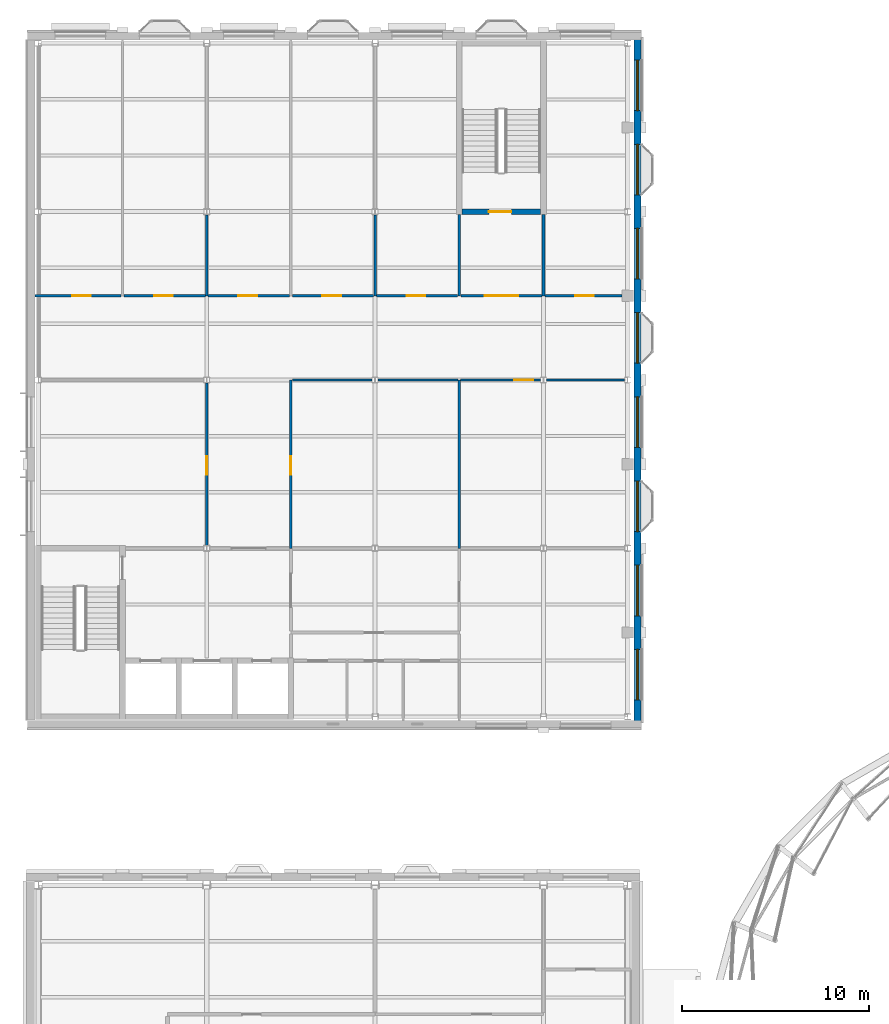
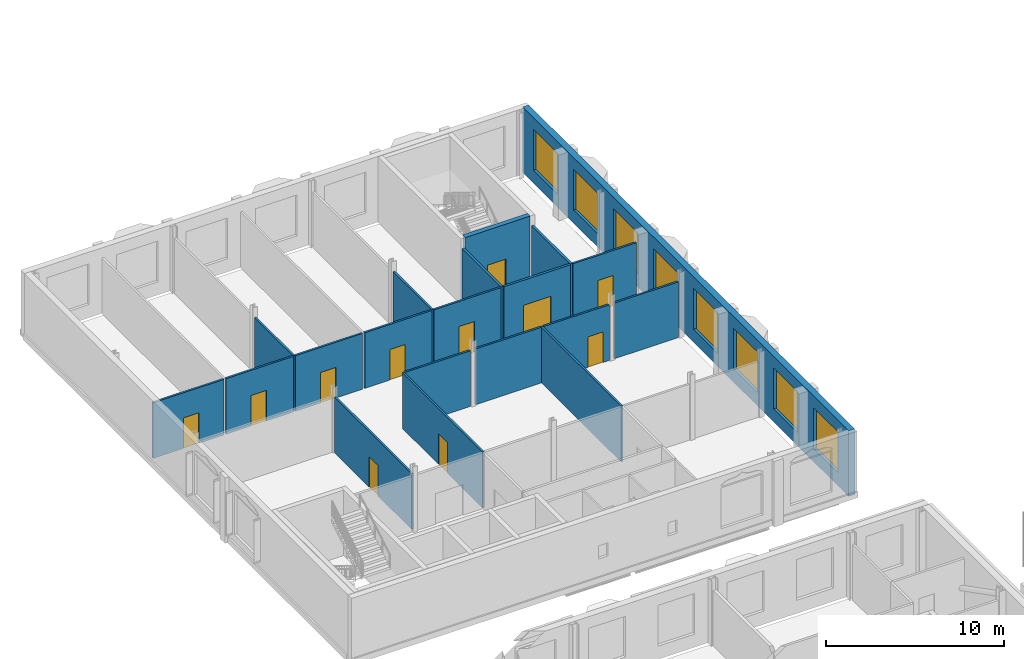
# One storey, part 26 of 59: 20 walls, 11 doors, 8 windows, 19 openings.
"""IFC4 building model written with IfcOpenShell, lengths in metres."""

from ifc_helpers import new_model, si_unit, direction, frame, frame_2d, origin, place, context, subcontext, project, spatial, rectangle, extrude, material, layer, layer_set, type_object, element, fill, save


model = new_model("IFC4")

# Units and contexts
model_context = context("Model", 3, precision=1e-05, world=origin(), true_north=direction((0.0, 1.0)))
body_context = subcontext(model_context, "Body", "Model", "MODEL_VIEW")
ifc_project = project(units=[si_unit("LENGTHUNIT", "METRE"), si_unit("AREAUNIT", "SQUARE_METRE"), si_unit("VOLUMEUNIT", "CUBIC_METRE"), si_unit("PLANEANGLEUNIT", "RADIAN"), si_unit("MASSUNIT", "GRAM", prefix="KILO")], contexts=[model_context])

# Site, building, storey
site_placement = place(None, origin())
site = spatial("IfcSite", under=ifc_project, at=site_placement, CompositionType="ELEMENT")
building_placement = place(site_placement, origin())
building = spatial("IfcBuilding", under=site, at=building_placement, Name="Hortulan Conservatory and Botanical Research Centre", CompositionType="ELEMENT")
storey_placement = place(building_placement, frame((0.0, 0.0, 10.5)))
storey = spatial("IfcBuildingStorey", under=building, at=storey_placement, Name="L02", CompositionType="ELEMENT", Elevation=10.5)

# Wall, opening, door
ifc_material_1 = material(Name="Concrete N40 (40 MPa, AS 3600)", Category="concrete")
ifc_layer_1 = layer(ifc_material_1, 0.300048828125)
ifc_layer_set_1 = layer_set([ifc_layer_1], Name="Core Wall 300 N40 FRL 180/120/120")
wall_type_1 = type_object("IfcWallType", Name="Core Wall 300 N40 FRL 180/120/120", PredefinedType="SHEAR", material=ifc_layer_set_1)
wall_1_placement = place(storey_placement, frame((22.64990234375, 63.0, 0.0), z_axis=(0.0, 0.0, 1.0), x_axis=(1.0, 0.0, 0.0)))
wall_1 = element("IfcWall", 1, at=wall_1_placement, inside=storey, type_object=wall_type_1, Name="Reinforced concrete shaft wall", PredefinedType="SHEAR", context=body_context, shape_type="SweptSolid", body=[
    extrude(rectangle(XDim=4.2001953125, YDim=0.300048828125, at=frame_2d((2.10009765625, 0.0))), origin(), (0.0, 0.0, 1.0), 4.5),
])
opening_1_placement = place(wall_1_placement, frame((1.436767578125, 0.0, 0.0)))
opening_1 = element("IfcOpeningElement", 2, at=opening_1_placement, cuts=wall_1, Name="Opening DT5", PredefinedType="OPENING", context=body_context, shape_type="SweptSolid", body=[
    extrude(rectangle(XDim=1.199951171875, YDim=2.10009765625, at=frame_2d((0.60009765625, 1.050048828125))), frame((0.0, 0.159912109375, 0.0), z_axis=(0.0, -1.0, 0.0), x_axis=(1.0, 0.0, 0.0)), (0.0, 0.0, 1.0), 0.320068359375),
])
ifc_material_2 = material(Name="Steel door leaf, insulated", Category="steel")
door_type_1 = type_object("IfcDoorType", Name="Stair Door 1200x2100 FRL -/120/30", OperationType="NOTDEFINED", PredefinedType="DOOR", material=ifc_material_2)
door_1_placement = place(opening_1_placement, origin())
door_1 = element("IfcDoor", 3, at=door_1_placement, inside=storey, type_object=door_type_1, Name="Door DT5 Exit Stair V2 to Stair Lobby V2", OperationType="SINGLE_SWING_LEFT", OverallHeight=2.10009765625, OverallWidth=1.199951171875, PredefinedType="DOOR", context=body_context, shape_type="SweptSolid", body=[
    extrude(rectangle(XDim=1.199951171875, YDim=2.10009765625, at=frame_2d((0.60009765625, 1.050048828125))), frame((0.0, 0.02490234375, 0.0), z_axis=(0.0, -1.0, 0.0), x_axis=(1.0, 0.0, 0.0)), (0.0, 0.0, 1.0), 0.050048828125),
])
fill(opening_1, door_1)

# Wall, openings, windows
ifc_material_3 = material(Name="Faience-faced brickwork masonry", Category="masonry")
ifc_layer_2 = layer(ifc_material_3, 0.39990234375)
ifc_layer_set_2 = layer_set([ifc_layer_2], Name="Faience-faced Masonry Cavity Wall 400")
wall_type_2 = type_object("IfcWallType", Name="Faience-faced Masonry Cavity Wall 400", PredefinedType="STANDARD", material=ifc_layer_set_2)
wall_2_placement = place(storey_placement, frame((32.02490234375, 72.324951171875, 0.0), z_axis=(0.0, 0.0, 1.0), x_axis=(0.0, -1.0, 0.0)))
wall_2 = element("IfcWall", 4, at=wall_2_placement, inside=storey, type_object=wall_type_2, Name="E-EW-VC-L02-E4", PredefinedType="STANDARD", context=body_context, shape_type="SweptSolid", body=[
    extrude(rectangle(XDim=36.64990234375, YDim=0.39990234375, at=frame_2d((18.324951171875, 0.0))), origin(), (0.0, 0.0, 1.0), 4.5),
])
opening_2_placement = place(wall_2_placement, frame((32.72509765625, 0.0, 0.89990234375)))
opening_2 = element("IfcOpeningElement", 5, at=opening_2_placement, cuts=wall_2, Name="Opening W9", PredefinedType="OPENING", context=body_context, shape_type="SweptSolid", body=[
    extrude(rectangle(XDim=2.699951171875, YDim=2.800048828125, at=frame_2d((1.35009765625, 1.39990234375))), frame((0.0, 0.2099609375, 0.0), z_axis=(0.0, -1.0, 0.0), x_axis=(1.0, 0.0, 0.0)), (0.0, 0.0, 1.0), 0.419921875),
])
opening_3_placement = place(wall_2_placement, frame((28.22509765625, 0.0, 0.89990234375)))
opening_3 = element("IfcOpeningElement", 6, at=opening_3_placement, cuts=wall_2, Name="Opening W9", PredefinedType="OPENING", context=body_context, shape_type="SweptSolid", body=[
    extrude(rectangle(XDim=2.699951171875, YDim=2.800048828125, at=frame_2d((1.35009765625, 1.39990234375))), frame((0.0, 0.2099609375, 0.0), z_axis=(0.0, -1.0, 0.0), x_axis=(1.0, 0.0, 0.0)), (0.0, 0.0, 1.0), 0.419921875),
])
opening_4_placement = place(wall_2_placement, frame((23.72509765625, 0.0, 0.89990234375)))
opening_4 = element("IfcOpeningElement", 7, at=opening_4_placement, cuts=wall_2, Name="Opening W9", PredefinedType="OPENING", context=body_context, shape_type="SweptSolid", body=[
    extrude(rectangle(XDim=2.699951171875, YDim=2.800048828125, at=frame_2d((1.35009765625, 1.39990234375))), frame((0.0, 0.2099609375, 0.0), z_axis=(0.0, -1.0, 0.0), x_axis=(1.0, 0.0, 0.0)), (0.0, 0.0, 1.0), 0.419921875),
])
opening_5_placement = place(wall_2_placement, frame((19.22509765625, 0.0, 0.89990234375)))
opening_5 = element("IfcOpeningElement", 8, at=opening_5_placement, cuts=wall_2, Name="Opening W9", PredefinedType="OPENING", context=body_context, shape_type="SweptSolid", body=[
    extrude(rectangle(XDim=2.699951171875, YDim=2.800048828125, at=frame_2d((1.35009765625, 1.39990234375))), frame((0.0, 0.2099609375, 0.0), z_axis=(0.0, -1.0, 0.0), x_axis=(1.0, 0.0, 0.0)), (0.0, 0.0, 1.0), 0.419921875),
])
opening_6_placement = place(wall_2_placement, frame((14.72509765625, 0.0, 0.89990234375)))
opening_6 = element("IfcOpeningElement", 9, at=opening_6_placement, cuts=wall_2, Name="Opening W9", PredefinedType="OPENING", context=body_context, shape_type="SweptSolid", body=[
    extrude(rectangle(XDim=2.699951171875, YDim=2.800048828125, at=frame_2d((1.35009765625, 1.39990234375))), frame((0.0, 0.2099609375, 0.0), z_axis=(0.0, -1.0, 0.0), x_axis=(1.0, 0.0, 0.0)), (0.0, 0.0, 1.0), 0.419921875),
])
opening_7_placement = place(wall_2_placement, frame((10.22509765625, 0.0, 0.89990234375)))
opening_7 = element("IfcOpeningElement", 10, at=opening_7_placement, cuts=wall_2, Name="Opening W9", PredefinedType="OPENING", context=body_context, shape_type="SweptSolid", body=[
    extrude(rectangle(XDim=2.699951171875, YDim=2.800048828125, at=frame_2d((1.35009765625, 1.39990234375))), frame((0.0, 0.2099609375, 0.0), z_axis=(0.0, -1.0, 0.0), x_axis=(1.0, 0.0, 0.0)), (0.0, 0.0, 1.0), 0.419921875),
])
opening_8_placement = place(wall_2_placement, frame((5.72509765625, 0.0, 0.89990234375)))
opening_8 = element("IfcOpeningElement", 11, at=opening_8_placement, cuts=wall_2, Name="Opening W9", PredefinedType="OPENING", context=body_context, shape_type="SweptSolid", body=[
    extrude(rectangle(XDim=2.699951171875, YDim=2.800048828125, at=frame_2d((1.35009765625, 1.39990234375))), frame((0.0, 0.2099609375, 0.0), z_axis=(0.0, -1.0, 0.0), x_axis=(1.0, 0.0, 0.0)), (0.0, 0.0, 1.0), 0.419921875),
])
opening_9_placement = place(wall_2_placement, frame((1.22509765625, 0.0, 0.89990234375)))
opening_9 = element("IfcOpeningElement", 12, at=opening_9_placement, cuts=wall_2, Name="Opening W9", PredefinedType="OPENING", context=body_context, shape_type="SweptSolid", body=[
    extrude(rectangle(XDim=2.699951171875, YDim=2.800048828125, at=frame_2d((1.35009765625, 1.39990234375))), frame((0.0, 0.2099609375, 0.0), z_axis=(0.0, -1.0, 0.0), x_axis=(1.0, 0.0, 0.0)), (0.0, 0.0, 1.0), 0.419921875),
])
ifc_material_4 = material(Name="Bronze-finished aluminium frame with low-e laminated double glazing", Category="aluminium")
window_type = type_object("IfcWindowType", Name="Faience Window 2700x2800", PartitioningType="SINGLE_PANEL", PredefinedType="WINDOW", material=ifc_material_4)
window_1_placement = place(opening_2_placement, origin())
window_1 = element("IfcWindow", 13, at=window_1_placement, inside=storey, type_object=window_type, Name="Faience window", OverallHeight=2.800048828125, OverallWidth=2.699951171875, PartitioningType="SINGLE_PANEL", PredefinedType="WINDOW", context=body_context, shape_type="SweptSolid", body=[
    extrude(rectangle(XDim=2.699951171875, YDim=2.800048828125, at=frame_2d((1.35009765625, 1.39990234375))), frame((0.0, 0.030029296875, 0.0), z_axis=(0.0, -1.0, 0.0), x_axis=(1.0, 0.0, 0.0)), (0.0, 0.0, 1.0), 0.06005859375),
])
fill(opening_2, window_1)
window_2_placement = place(opening_3_placement, origin())
window_2 = element("IfcWindow", 14, at=window_2_placement, inside=storey, type_object=window_type, Name="Faience window", OverallHeight=2.800048828125, OverallWidth=2.699951171875, PartitioningType="SINGLE_PANEL", PredefinedType="WINDOW", context=body_context, shape_type="SweptSolid", body=[
    extrude(rectangle(XDim=2.699951171875, YDim=2.800048828125, at=frame_2d((1.35009765625, 1.39990234375))), frame((0.0, 0.030029296875, 0.0), z_axis=(0.0, -1.0, 0.0), x_axis=(1.0, 0.0, 0.0)), (0.0, 0.0, 1.0), 0.06005859375),
])
fill(opening_3, window_2)
window_3_placement = place(opening_4_placement, origin())
window_3 = element("IfcWindow", 15, at=window_3_placement, inside=storey, type_object=window_type, Name="Faience window", OverallHeight=2.800048828125, OverallWidth=2.699951171875, PartitioningType="SINGLE_PANEL", PredefinedType="WINDOW", context=body_context, shape_type="SweptSolid", body=[
    extrude(rectangle(XDim=2.699951171875, YDim=2.800048828125, at=frame_2d((1.35009765625, 1.39990234375))), frame((0.0, 0.030029296875, 0.0), z_axis=(0.0, -1.0, 0.0), x_axis=(1.0, 0.0, 0.0)), (0.0, 0.0, 1.0), 0.06005859375),
])
fill(opening_4, window_3)
window_4_placement = place(opening_5_placement, origin())
window_4 = element("IfcWindow", 16, at=window_4_placement, inside=storey, type_object=window_type, Name="Faience window", OverallHeight=2.800048828125, OverallWidth=2.699951171875, PartitioningType="SINGLE_PANEL", PredefinedType="WINDOW", context=body_context, shape_type="SweptSolid", body=[
    extrude(rectangle(XDim=2.699951171875, YDim=2.800048828125, at=frame_2d((1.35009765625, 1.39990234375))), frame((0.0, 0.030029296875, 0.0), z_axis=(0.0, -1.0, 0.0), x_axis=(1.0, 0.0, 0.0)), (0.0, 0.0, 1.0), 0.06005859375),
])
fill(opening_5, window_4)
window_5_placement = place(opening_6_placement, origin())
window_5 = element("IfcWindow", 17, at=window_5_placement, inside=storey, type_object=window_type, Name="Faience window", OverallHeight=2.800048828125, OverallWidth=2.699951171875, PartitioningType="SINGLE_PANEL", PredefinedType="WINDOW", context=body_context, shape_type="SweptSolid", body=[
    extrude(rectangle(XDim=2.699951171875, YDim=2.800048828125, at=frame_2d((1.35009765625, 1.39990234375))), frame((0.0, 0.030029296875, 0.0), z_axis=(0.0, -1.0, 0.0), x_axis=(1.0, 0.0, 0.0)), (0.0, 0.0, 1.0), 0.06005859375),
])
fill(opening_6, window_5)
window_6_placement = place(opening_7_placement, origin())
window_6 = element("IfcWindow", 18, at=window_6_placement, inside=storey, type_object=window_type, Name="Faience window", OverallHeight=2.800048828125, OverallWidth=2.699951171875, PartitioningType="SINGLE_PANEL", PredefinedType="WINDOW", context=body_context, shape_type="SweptSolid", body=[
    extrude(rectangle(XDim=2.699951171875, YDim=2.800048828125, at=frame_2d((1.35009765625, 1.39990234375))), frame((0.0, 0.030029296875, 0.0), z_axis=(0.0, -1.0, 0.0), x_axis=(1.0, 0.0, 0.0)), (0.0, 0.0, 1.0), 0.06005859375),
])
fill(opening_7, window_6)
window_7_placement = place(opening_8_placement, origin())
window_7 = element("IfcWindow", 19, at=window_7_placement, inside=storey, type_object=window_type, Name="Faience window", OverallHeight=2.800048828125, OverallWidth=2.699951171875, PartitioningType="SINGLE_PANEL", PredefinedType="WINDOW", context=body_context, shape_type="SweptSolid", body=[
    extrude(rectangle(XDim=2.699951171875, YDim=2.800048828125, at=frame_2d((1.35009765625, 1.39990234375))), frame((0.0, 0.030029296875, 0.0), z_axis=(0.0, -1.0, 0.0), x_axis=(1.0, 0.0, 0.0)), (0.0, 0.0, 1.0), 0.06005859375),
])
fill(opening_8, window_7)
window_8_placement = place(opening_9_placement, origin())
window_8 = element("IfcWindow", 20, at=window_8_placement, inside=storey, type_object=window_type, Name="Faience window", OverallHeight=2.800048828125, OverallWidth=2.699951171875, PartitioningType="SINGLE_PANEL", PredefinedType="WINDOW", context=body_context, shape_type="SweptSolid", body=[
    extrude(rectangle(XDim=2.699951171875, YDim=2.800048828125, at=frame_2d((1.35009765625, 1.39990234375))), frame((0.0, 0.030029296875, 0.0), z_axis=(0.0, -1.0, 0.0), x_axis=(1.0, 0.0, 0.0)), (0.0, 0.0, 1.0), 0.06005859375),
])
fill(opening_9, window_8)

# Walls
ifc_material_5 = material(Name="Fire-rated plasterboard on steel studs", Category="steel")
ifc_layer_3 = layer(ifc_material_5, 0.14990234375)
ifc_layer_set_3 = layer_set([ifc_layer_3], Name="Lobby Partition 150")
wall_type_3 = type_object("IfcWallType", Name="Lobby Partition 150", PredefinedType="PARTITIONING", material=ifc_layer_set_3)
for number, where, z_axis, x_axis, name in (
    (21, (22.5, 58.5, 0.0), (0.0, 0.0, 1.0), (0.0, 1.0, 0.0), "Partition Stair Lobby V2 and Teaching Laboratory L02"),
    (22, (27.0, 58.5, 0.0), (0.0, 0.0, 1.0), (0.0, 1.0, 0.0), "Partition Stair Lobby V2 and Education Classroom 6 L02"),
):
    element("IfcWall", number, at=place(storey_placement, frame(where, z_axis=z_axis, x_axis=x_axis)), inside=storey, type_object=wall_type_3, Name=name, PredefinedType="PARTITIONING", context=body_context, shape_type="SweptSolid", body=[
        extrude(rectangle(XDim=4.340087890625, YDim=0.14990234375, at=frame_2d((2.169921875, 0.0))), origin(), (0.0, 0.0, 1.0), 3.822021484375),
    ])

# Wall, opening, door
wall_3_placement = place(storey_placement, frame((22.5849609375, 58.5, 0.0), z_axis=(0.0, 0.0, 1.0), x_axis=(1.0, 0.0, 0.0)))
wall_3 = element("IfcWall", 23, at=wall_3_placement, inside=storey, type_object=wall_type_3, Name="Partition Corridor and Stair Lobby V2 L02", PredefinedType="PARTITIONING", context=body_context, shape_type="SweptSolid", body=[
    extrude(rectangle(XDim=4.330078125, YDim=0.14990234375, at=frame_2d((2.1650390625, 0.0))), origin(), (0.0, 0.0, 1.0), 3.822021484375),
])
opening_10_placement = place(wall_3_placement, frame((1.264892578125, 0.0, 0.0)))
opening_10 = element("IfcOpeningElement", 24, at=opening_10_placement, cuts=wall_3, Name="Opening DT8", PredefinedType="OPENING", context=body_context, shape_type="SweptSolid", body=[
    extrude(rectangle(XDim=1.800048828125, YDim=2.10009765625, at=frame_2d((0.89990234375, 1.050048828125))), frame((0.0, 0.0849609375, 0.0), z_axis=(0.0, -1.0, 0.0), x_axis=(1.0, 0.0, 0.0)), (0.0, 0.0, 1.0), 0.169921875),
])
door_type_2 = type_object("IfcDoorType", Name="Lobby Double Door 1800x2100 FRL -/60/30", OperationType="DOUBLE_DOOR_SINGLE_SWING", PredefinedType="DOOR", material=ifc_material_2)
door_2_placement = place(opening_10_placement, frame((1.800048828125, 0.0, 0.0), z_axis=(0.0, 0.0, 1.0), x_axis=(-1.0, 0.0, 0.0)))
door_2 = element("IfcDoor", 25, at=door_2_placement, inside=storey, type_object=door_type_2, Name="Door DT8 Stair Lobby V2 to Corridor", OperationType="DOUBLE_DOOR_SINGLE_SWING", OverallHeight=2.10009765625, OverallWidth=1.800048828125, PredefinedType="DOOR", context=body_context, shape_type="SweptSolid", body=[
    extrude(rectangle(XDim=1.800048828125, YDim=2.10009765625, at=frame_2d((0.89990234375, 1.050048828125))), frame((0.0, 0.02490234375, 0.0), z_axis=(0.0, -1.0, 0.0), x_axis=(1.0, 0.0, 0.0)), (0.0, 0.0, 1.0), 0.050048828125),
])
fill(opening_10, door_2)

ifc_material_6 = material(Name="Plasterboard on steel studs", Category="steel")
ifc_layer_4 = layer(ifc_material_6, 0.125)
ifc_layer_set_4 = layer_set([ifc_layer_4], Name="Partition 125")
wall_type_4 = type_object("IfcWallType", Name="Partition 125", PredefinedType="PARTITIONING", material=ifc_layer_set_4)
wall_4_placement = place(storey_placement, frame((9.0, 45.16748046875, 0.0), z_axis=(0.0, 0.0, 1.0), x_axis=(0.0, 1.0, 0.0)))
wall_4 = element("IfcWall", 26, at=wall_4_placement, inside=storey, type_object=wall_type_4, Name="Partition Corridor West and Discovery Laboratory L02", PredefinedType="PARTITIONING", context=body_context, shape_type="SweptSolid", body=[
    extrude(rectangle(XDim=8.6650390625, YDim=0.125, at=frame_2d((4.33251953125, 0.0))), origin(), (0.0, 0.0, 1.0), 3.822021484375),
])
opening_11_placement = place(wall_4_placement, frame((3.770263671875, 0.0, 0.0)))
opening_11 = element("IfcOpeningElement", 27, at=opening_11_placement, cuts=wall_4, Name="Opening DT1", PredefinedType="OPENING", context=body_context, shape_type="SweptSolid", body=[
    extrude(rectangle(XDim=1.0, YDim=2.10009765625, at=frame_2d((0.5, 1.050048828125))), frame((0.0, 0.072509765625, 0.0), z_axis=(0.0, -1.0, 0.0), x_axis=(1.0, 0.0, 0.0)), (0.0, 0.0, 1.0), 0.14501953125),
])
ifc_material_7 = material(Name="Timber door leaf in timber frame", Category="wood")
door_type_3 = type_object("IfcDoorType", Name="Single Door 1000x2100", OperationType="NOTDEFINED", PredefinedType="DOOR", material=ifc_material_7)
door_3_placement = place(opening_11_placement, origin())
door_3 = element("IfcDoor", 28, at=door_3_placement, inside=storey, type_object=door_type_3, Name="Door DT1 Discovery Laboratory to Corridor West", OperationType="SINGLE_SWING_LEFT", OverallHeight=2.10009765625, OverallWidth=1.0, PredefinedType="DOOR", context=body_context, shape_type="SweptSolid", body=[
    extrude(rectangle(XDim=1.0, YDim=2.10009765625, at=frame_2d((0.5, 1.050048828125))), frame((0.0, 0.02490234375, 0.0), z_axis=(0.0, -1.0, 0.0), x_axis=(1.0, 0.0, 0.0)), (0.0, 0.0, 1.0), 0.050048828125),
])
fill(opening_11, door_3)

# Wall
wall_5_placement = place(storey_placement, frame((9.0, 58.5, 0.0), z_axis=(0.0, 0.0, 1.0), x_axis=(0.0, 1.0, 0.0)))
element("IfcWall", 29, at=wall_5_placement, inside=storey, type_object=wall_type_4, Name="Partition Education Classroom 2 and Education Classroom 3 L02", PredefinedType="PARTITIONING", context=body_context, shape_type="SweptSolid", body=[
    extrude(rectangle(XDim=4.33251953125, YDim=0.125, at=frame_2d((2.166259765625, 0.0))), origin(), (0.0, 0.0, 1.0), 3.822021484375),
])

# Wall, opening, door
wall_6_placement = place(storey_placement, frame((13.5, 45.0, 0.0), z_axis=(0.0, 0.0, 1.0), x_axis=(0.0, 1.0, 0.0)))
wall_6 = element("IfcWall", 30, at=wall_6_placement, inside=storey, type_object=wall_type_4, Name="Partition Corridor West and Education Preparation Room L02", PredefinedType="PARTITIONING", context=body_context, shape_type="SweptSolid", body=[
    extrude(rectangle(XDim=9.0, YDim=0.125, at=frame_2d((4.5, 0.0))), origin(), (0.0, 0.0, 1.0), 3.822021484375),
])
opening_12_placement = place(wall_6_placement, frame((3.937744140625, 0.0, 0.0)))
opening_12 = element("IfcOpeningElement", 31, at=opening_12_placement, cuts=wall_6, Name="Opening DT1", PredefinedType="OPENING", context=body_context, shape_type="SweptSolid", body=[
    extrude(rectangle(XDim=1.0, YDim=2.10009765625, at=frame_2d((0.5, 1.050048828125))), frame((0.0, 0.072509765625, 0.0), z_axis=(0.0, -1.0, 0.0), x_axis=(1.0, 0.0, 0.0)), (0.0, 0.0, 1.0), 0.14501953125),
])
door_4_placement = place(opening_12_placement, frame((1.0, 0.0, 0.0), z_axis=(0.0, 0.0, 1.0), x_axis=(-1.0, 0.0, 0.0)))
door_4 = element("IfcDoor", 32, at=door_4_placement, inside=storey, type_object=door_type_3, Name="Door DT1 Education Preparation Room to Corridor West", OperationType="SINGLE_SWING_RIGHT", OverallHeight=2.10009765625, OverallWidth=1.0, PredefinedType="DOOR", context=body_context, shape_type="SweptSolid", body=[
    extrude(rectangle(XDim=1.0, YDim=2.10009765625, at=frame_2d((0.5, 1.050048828125))), frame((0.0, 0.02490234375, 0.0), z_axis=(0.0, -1.0, 0.0), x_axis=(1.0, 0.0, 0.0)), (0.0, 0.0, 1.0), 0.050048828125),
])
fill(opening_12, door_4)

# Walls
wall_7_placement = place(storey_placement, frame((18.0, 58.5, 0.0), z_axis=(0.0, 0.0, 1.0), x_axis=(0.0, 1.0, 0.0)))
element("IfcWall", 33, at=wall_7_placement, inside=storey, type_object=wall_type_4, Name="Partition Seed Laboratory and Teaching Laboratory L02", PredefinedType="PARTITIONING", context=body_context, shape_type="SweptSolid", body=[
    extrude(rectangle(XDim=4.33251953125, YDim=0.125, at=frame_2d((2.166259765625, 0.0))), origin(), (0.0, 0.0, 1.0), 3.822021484375),
])
wall_8_placement = place(storey_placement, frame((22.5, 45.0, 0.0), z_axis=(0.0, 0.0, 1.0), x_axis=(0.0, 1.0, 0.0)))
element("IfcWall", 34, at=wall_8_placement, inside=storey, type_object=wall_type_4, Name="Partition Education Preparation Room and Education Resource Library L02", PredefinedType="PARTITIONING", context=body_context, shape_type="SweptSolid", body=[
    extrude(rectangle(XDim=9.0, YDim=0.125, at=frame_2d((4.5, 0.0))), origin(), (0.0, 0.0, 1.0), 3.822021484375),
])
for number, where, z_axis, x_axis, name in (
    (35, (13.572509765625, 54.0, 0.0), (0.0, 0.0, 1.0), (1.0, 0.0, 0.0), "Partition Corridor and Education Preparation Room L02"),
    (36, (18.16357421875, 54.0, 0.0), (0.0, 0.0, 1.0), (1.0, 0.0, 0.0), "Partition Corridor and Education Preparation Room L02"),
):
    element("IfcWall", number, at=place(storey_placement, frame(where, z_axis=z_axis, x_axis=x_axis)), inside=storey, type_object=wall_type_4, Name=name, PredefinedType="PARTITIONING", context=body_context, shape_type="SweptSolid", body=[
        extrude(rectangle(XDim=4.263916015625, YDim=0.125, at=frame_2d((2.1318359375, 0.0))), origin(), (0.0, 0.0, 1.0), 3.822021484375),
    ])

# Wall, opening, door
wall_9_placement = place(storey_placement, frame((22.572509765625, 54.0, 0.0), z_axis=(0.0, 0.0, 1.0), x_axis=(1.0, 0.0, 0.0)))
wall_9 = element("IfcWall", 37, at=wall_9_placement, inside=storey, type_object=wall_type_4, Name="Partition Corridor and Education Resource Library L02", PredefinedType="PARTITIONING", context=body_context, shape_type="SweptSolid", body=[
    extrude(rectangle(XDim=4.263916015625, YDim=0.125, at=frame_2d((2.1318359375, 0.0))), origin(), (0.0, 0.0, 1.0), 3.822021484375),
])
opening_13_placement = place(wall_9_placement, frame((2.86865234375, 0.0, 0.0)))
opening_13 = element("IfcOpeningElement", 38, at=opening_13_placement, cuts=wall_9, Name="Opening DT1", PredefinedType="OPENING", context=body_context, shape_type="SweptSolid", body=[
    extrude(rectangle(XDim=1.0, YDim=2.10009765625, at=frame_2d((0.5, 1.050048828125))), frame((0.0, 0.072509765625, 0.0), z_axis=(0.0, -1.0, 0.0), x_axis=(1.0, 0.0, 0.0)), (0.0, 0.0, 1.0), 0.14501953125),
])
door_5_placement = place(opening_13_placement, frame((1.0, 0.0, 0.0), z_axis=(0.0, 0.0, 1.0), x_axis=(-1.0, 0.0, 0.0)))
door_5 = element("IfcDoor", 39, at=door_5_placement, inside=storey, type_object=door_type_3, Name="Door DT1 Education Resource Library to Corridor", OperationType="SINGLE_SWING_RIGHT", OverallHeight=2.10009765625, OverallWidth=1.0, PredefinedType="DOOR", context=body_context, shape_type="SweptSolid", body=[
    extrude(rectangle(XDim=1.0, YDim=2.10009765625, at=frame_2d((0.5, 1.050048828125))), frame((0.0, 0.02490234375, 0.0), z_axis=(0.0, -1.0, 0.0), x_axis=(1.0, 0.0, 0.0)), (0.0, 0.0, 1.0), 0.050048828125),
])
fill(opening_13, door_5)

# Wall
wall_10_placement = place(storey_placement, frame((27.16357421875, 54.0, 0.0), z_axis=(0.0, 0.0, 1.0), x_axis=(1.0, 0.0, 0.0)))
element("IfcWall", 40, at=wall_10_placement, inside=storey, type_object=wall_type_4, Name="Partition Corridor and Education Resource Library L02", PredefinedType="PARTITIONING", context=body_context, shape_type="SweptSolid", body=[
    extrude(rectangle(XDim=4.1728515625, YDim=0.125, at=frame_2d((2.08642578125, 0.0))), origin(), (0.0, 0.0, 1.0), 3.822021484375),
])

# Wall, opening, door
wall_11_placement = place(storey_placement, frame((-0.16943359375, 58.5, 0.0), z_axis=(0.0, 0.0, 1.0), x_axis=(1.0, 0.0, 0.0)))
wall_11 = element("IfcWall", 41, at=wall_11_placement, inside=storey, type_object=wall_type_4, Name="Partition Corridor and Education Classroom 1 L02", PredefinedType="PARTITIONING", context=body_context, shape_type="SweptSolid", body=[
    extrude(rectangle(XDim=4.596923828125, YDim=0.125, at=frame_2d((2.29833984375, 0.0))), origin(), (0.0, 0.0, 1.0), 3.822021484375),
])
opening_14_placement = place(wall_11_placement, frame((1.9814453125, 0.0, 0.0)))
opening_14 = element("IfcOpeningElement", 42, at=opening_14_placement, cuts=wall_11, Name="Opening DT1", PredefinedType="OPENING", context=body_context, shape_type="SweptSolid", body=[
    extrude(rectangle(XDim=1.0, YDim=2.10009765625, at=frame_2d((0.5, 1.050048828125))), frame((0.0, 0.072509765625, 0.0), z_axis=(0.0, -1.0, 0.0), x_axis=(1.0, 0.0, 0.0)), (0.0, 0.0, 1.0), 0.14501953125),
])
door_6_placement = place(opening_14_placement, origin())
door_6 = element("IfcDoor", 43, at=door_6_placement, inside=storey, type_object=door_type_3, Name="Door DT1 Education Classroom 1 to Corridor", OperationType="SINGLE_SWING_LEFT", OverallHeight=2.10009765625, OverallWidth=1.0, PredefinedType="DOOR", context=body_context, shape_type="SweptSolid", body=[
    extrude(rectangle(XDim=1.0, YDim=2.10009765625, at=frame_2d((0.5, 1.050048828125))), frame((0.0, 0.02490234375, 0.0), z_axis=(0.0, -1.0, 0.0), x_axis=(1.0, 0.0, 0.0)), (0.0, 0.0, 1.0), 0.050048828125),
])
fill(opening_14, door_6)

wall_12_placement = place(storey_placement, frame((4.572509765625, 58.5, 0.0), z_axis=(0.0, 0.0, 1.0), x_axis=(1.0, 0.0, 0.0)))
wall_12 = element("IfcWall", 44, at=wall_12_placement, inside=storey, type_object=wall_type_4, Name="Partition Corridor and Education Classroom 2 L02", PredefinedType="PARTITIONING", context=body_context, shape_type="SweptSolid", body=[
    extrude(rectangle(XDim=4.35498046875, YDim=0.125, at=frame_2d((2.177490234375, 0.0))), origin(), (0.0, 0.0, 1.0), 3.822021484375),
])
opening_15_placement = place(wall_12_placement, frame((1.615478515625, 0.0, 0.0)))
opening_15 = element("IfcOpeningElement", 45, at=opening_15_placement, cuts=wall_12, Name="Opening DT1", PredefinedType="OPENING", context=body_context, shape_type="SweptSolid", body=[
    extrude(rectangle(XDim=1.0, YDim=2.10009765625, at=frame_2d((0.5, 1.050048828125))), frame((0.0, 0.072509765625, 0.0), z_axis=(0.0, -1.0, 0.0), x_axis=(1.0, 0.0, 0.0)), (0.0, 0.0, 1.0), 0.14501953125),
])
door_7_placement = place(opening_15_placement, origin())
door_7 = element("IfcDoor", 46, at=door_7_placement, inside=storey, type_object=door_type_3, Name="Door DT1 Education Classroom 2 to Corridor", OperationType="SINGLE_SWING_LEFT", OverallHeight=2.10009765625, OverallWidth=1.0, PredefinedType="DOOR", context=body_context, shape_type="SweptSolid", body=[
    extrude(rectangle(XDim=1.0, YDim=2.10009765625, at=frame_2d((0.5, 1.050048828125))), frame((0.0, 0.02490234375, 0.0), z_axis=(0.0, -1.0, 0.0), x_axis=(1.0, 0.0, 0.0)), (0.0, 0.0, 1.0), 0.050048828125),
])
fill(opening_15, door_7)

wall_13_placement = place(storey_placement, frame((9.072509765625, 58.5, 0.0), z_axis=(0.0, 0.0, 1.0), x_axis=(1.0, 0.0, 0.0)))
wall_13 = element("IfcWall", 47, at=wall_13_placement, inside=storey, type_object=wall_type_4, Name="Partition Corridor and Education Classroom 3 L02", PredefinedType="PARTITIONING", context=body_context, shape_type="SweptSolid", body=[
    extrude(rectangle(XDim=4.35498046875, YDim=0.125, at=frame_2d((2.177490234375, 0.0))), origin(), (0.0, 0.0, 1.0), 3.822021484375),
])
opening_16_placement = place(wall_13_placement, frame((1.615478515625, 0.0, 0.0)))
opening_16 = element("IfcOpeningElement", 48, at=opening_16_placement, cuts=wall_13, Name="Opening DT1", PredefinedType="OPENING", context=body_context, shape_type="SweptSolid", body=[
    extrude(rectangle(XDim=1.0, YDim=2.10009765625, at=frame_2d((0.5, 1.050048828125))), frame((0.0, 0.072509765625, 0.0), z_axis=(0.0, -1.0, 0.0), x_axis=(1.0, 0.0, 0.0)), (0.0, 0.0, 1.0), 0.14501953125),
])
door_8_placement = place(opening_16_placement, origin())
door_8 = element("IfcDoor", 49, at=door_8_placement, inside=storey, type_object=door_type_3, Name="Door DT1 Education Classroom 3 to Corridor", OperationType="SINGLE_SWING_LEFT", OverallHeight=2.10009765625, OverallWidth=1.0, PredefinedType="DOOR", context=body_context, shape_type="SweptSolid", body=[
    extrude(rectangle(XDim=1.0, YDim=2.10009765625, at=frame_2d((0.5, 1.050048828125))), frame((0.0, 0.02490234375, 0.0), z_axis=(0.0, -1.0, 0.0), x_axis=(1.0, 0.0, 0.0)), (0.0, 0.0, 1.0), 0.050048828125),
])
fill(opening_16, door_8)

wall_14_placement = place(storey_placement, frame((13.572509765625, 58.5, 0.0), z_axis=(0.0, 0.0, 1.0), x_axis=(1.0, 0.0, 0.0)))
wall_14 = element("IfcWall", 50, at=wall_14_placement, inside=storey, type_object=wall_type_4, Name="Partition Corridor and Seed Laboratory L02", PredefinedType="PARTITIONING", context=body_context, shape_type="SweptSolid", body=[
    extrude(rectangle(XDim=4.35498046875, YDim=0.125, at=frame_2d((2.177490234375, 0.0))), origin(), (0.0, 0.0, 1.0), 3.822021484375),
])
opening_17_placement = place(wall_14_placement, frame((1.615478515625, 0.0, 0.0)))
opening_17 = element("IfcOpeningElement", 51, at=opening_17_placement, cuts=wall_14, Name="Opening DT1", PredefinedType="OPENING", context=body_context, shape_type="SweptSolid", body=[
    extrude(rectangle(XDim=1.0, YDim=2.10009765625, at=frame_2d((0.5, 1.050048828125))), frame((0.0, 0.072509765625, 0.0), z_axis=(0.0, -1.0, 0.0), x_axis=(1.0, 0.0, 0.0)), (0.0, 0.0, 1.0), 0.14501953125),
])
door_9_placement = place(opening_17_placement, origin())
door_9 = element("IfcDoor", 52, at=door_9_placement, inside=storey, type_object=door_type_3, Name="Door DT1 Seed Laboratory to Corridor", OperationType="SINGLE_SWING_LEFT", OverallHeight=2.10009765625, OverallWidth=1.0, PredefinedType="DOOR", context=body_context, shape_type="SweptSolid", body=[
    extrude(rectangle(XDim=1.0, YDim=2.10009765625, at=frame_2d((0.5, 1.050048828125))), frame((0.0, 0.02490234375, 0.0), z_axis=(0.0, -1.0, 0.0), x_axis=(1.0, 0.0, 0.0)), (0.0, 0.0, 1.0), 0.050048828125),
])
fill(opening_17, door_9)

wall_15_placement = place(storey_placement, frame((18.072509765625, 58.5, 0.0), z_axis=(0.0, 0.0, 1.0), x_axis=(1.0, 0.0, 0.0)))
wall_15 = element("IfcWall", 53, at=wall_15_placement, inside=storey, type_object=wall_type_4, Name="Partition Corridor and Teaching Laboratory L02", PredefinedType="PARTITIONING", context=body_context, shape_type="SweptSolid", body=[
    extrude(rectangle(XDim=4.342529296875, YDim=0.125, at=frame_2d((2.17138671875, 0.0))), origin(), (0.0, 0.0, 1.0), 3.822021484375),
])
opening_18_placement = place(wall_15_placement, frame((1.615478515625, 0.0, 0.0)))
opening_18 = element("IfcOpeningElement", 54, at=opening_18_placement, cuts=wall_15, Name="Opening DT1", PredefinedType="OPENING", context=body_context, shape_type="SweptSolid", body=[
    extrude(rectangle(XDim=1.0, YDim=2.10009765625, at=frame_2d((0.5, 1.050048828125))), frame((0.0, 0.072509765625, 0.0), z_axis=(0.0, -1.0, 0.0), x_axis=(1.0, 0.0, 0.0)), (0.0, 0.0, 1.0), 0.14501953125),
])
door_10_placement = place(opening_18_placement, origin())
door_10 = element("IfcDoor", 55, at=door_10_placement, inside=storey, type_object=door_type_3, Name="Door DT1 Teaching Laboratory to Corridor", OperationType="SINGLE_SWING_LEFT", OverallHeight=2.10009765625, OverallWidth=1.0, PredefinedType="DOOR", context=body_context, shape_type="SweptSolid", body=[
    extrude(rectangle(XDim=1.0, YDim=2.10009765625, at=frame_2d((0.5, 1.050048828125))), frame((0.0, 0.02490234375, 0.0), z_axis=(0.0, -1.0, 0.0), x_axis=(1.0, 0.0, 0.0)), (0.0, 0.0, 1.0), 0.050048828125),
])
fill(opening_18, door_10)

wall_16_placement = place(storey_placement, frame((27.0849609375, 58.5, 0.0), z_axis=(0.0, 0.0, 1.0), x_axis=(1.0, 0.0, 0.0)))
wall_16 = element("IfcWall", 56, at=wall_16_placement, inside=storey, type_object=wall_type_4, Name="Partition Corridor and Education Classroom 6 L02", PredefinedType="PARTITIONING", context=body_context, shape_type="SweptSolid", body=[
    extrude(rectangle(XDim=4.10498046875, YDim=0.125, at=frame_2d((2.052490234375, 0.0))), origin(), (0.0, 0.0, 1.0), 3.822021484375),
])
opening_19_placement = place(wall_16_placement, frame((1.60302734375, 0.0, 0.0)))
opening_19 = element("IfcOpeningElement", 57, at=opening_19_placement, cuts=wall_16, Name="Opening DT1", PredefinedType="OPENING", context=body_context, shape_type="SweptSolid", body=[
    extrude(rectangle(XDim=1.0, YDim=2.10009765625, at=frame_2d((0.5, 1.050048828125))), frame((0.0, 0.072509765625, 0.0), z_axis=(0.0, -1.0, 0.0), x_axis=(1.0, 0.0, 0.0)), (0.0, 0.0, 1.0), 0.14501953125),
])
door_11_placement = place(opening_19_placement, origin())
door_11 = element("IfcDoor", 58, at=door_11_placement, inside=storey, type_object=door_type_3, Name="Door DT1 Education Classroom 6 to Corridor", OperationType="SINGLE_SWING_LEFT", OverallHeight=2.10009765625, OverallWidth=1.0, PredefinedType="DOOR", context=body_context, shape_type="SweptSolid", body=[
    extrude(rectangle(XDim=1.0, YDim=2.10009765625, at=frame_2d((0.5, 1.050048828125))), frame((0.0, 0.02490234375, 0.0), z_axis=(0.0, -1.0, 0.0), x_axis=(1.0, 0.0, 0.0)), (0.0, 0.0, 1.0), 0.050048828125),
])
fill(opening_19, door_11)

save(model, "model.ifc")
